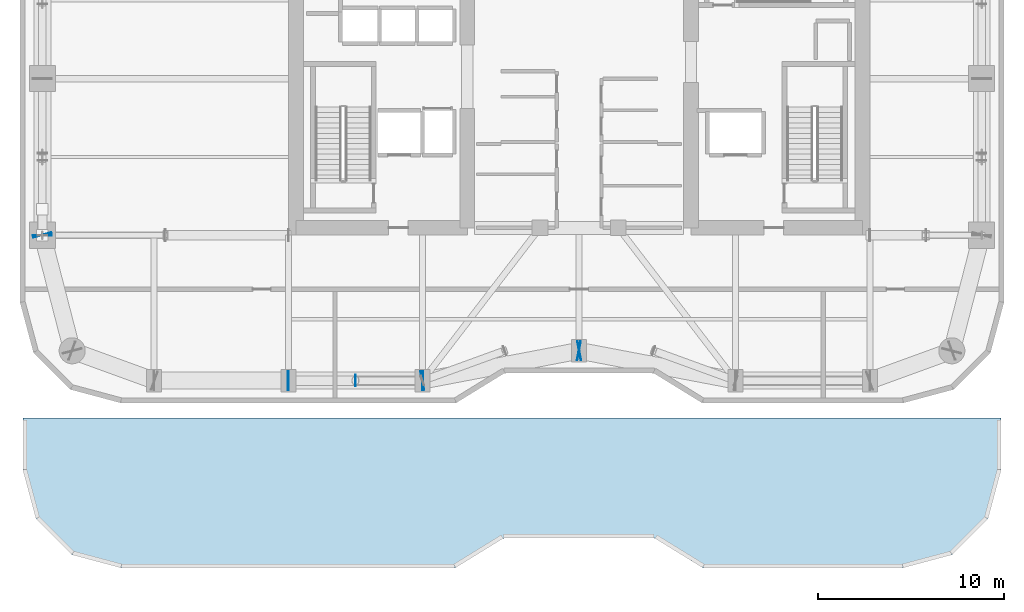
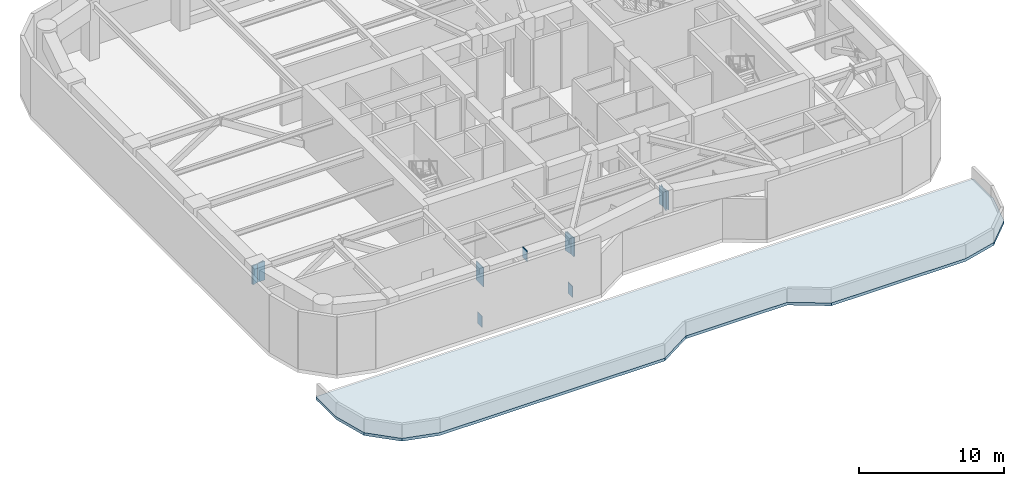
# One storey, part 3 of 16: 11 plates, 1 slab.
"""IFC4 building model written with IfcOpenShell, lengths in metres."""

import ifcopenshell
import ifcopenshell.guid

model = None  # the IFC model being written
_history = None  # IfcOwnerHistory: only IFC2X3 demands one
_inside = {}  # id of a spatial element -> (the spatial element, [elements in it])
_under = {}  # id of a project, library or spatial element -> (it, [spatial elements below it])
_declared = {}  # id of a project -> (the project, [libraries it declares])
_typed = {}  # id of a type object -> (the type object, [elements of that type])
_made_of = {}  # id of a material, layer set ... -> (it, [elements and type objects made of it])


def new_model(schema):
    """Start an empty IFC model of exactly this schema.

    Asked for "IFC4X3", IfcOpenShell would pick the latest addendum, in which some entities
    have other attributes; the version numbers below select the first issue.
    IFC2X3 requires an IfcOwnerHistory on every rooted entity: one is made here for all.
    """
    global model, _history
    if schema == "IFC4X3":
        model = ifcopenshell.file(schema_version=(4, 3, 0, 0))
    else:
        model = ifcopenshell.file(schema=schema)
    _inside.clear()
    _under.clear()
    _declared.clear()
    _typed.clear()
    _made_of.clear()
    _history = None
    if model.schema == "IFC2X3":
        org = make("IfcOrganization", Name="unknown")
        user = make(
            "IfcPersonAndOrganization",
            ThePerson=make("IfcPerson", FamilyName="unknown"),
            TheOrganization=org,
        )
        app = make(
            "IfcApplication",
            ApplicationDeveloper=org,
            Version="unknown",
            ApplicationFullName="unknown",
            ApplicationIdentifier="unknown",
        )
        _history = make(
            "IfcOwnerHistory",
            OwningUser=user,
            OwningApplication=app,
            ChangeAction="ADDED",
            CreationDate=0,
        )
    return model


def make(cls, **values):
    """One entity of the class cls with the attributes given. An attribute that is None is left unset."""
    return model.create_entity(
        cls, **{name: value for name, value in values.items() if value is not None}
    )


def rooted(cls, **values):
    """An entity with a GlobalId (a new one), such as an element, a storey or a relation."""
    return make(cls, GlobalId=ifcopenshell.guid.new(), OwnerHistory=_history, **values)


def si_unit(unit_type, name, prefix=None):
    """IfcSIUnit, for example si_unit("LENGTHUNIT", "METRE", prefix="MILLI")."""
    return make("IfcSIUnit", UnitType=unit_type, Prefix=prefix, Name=name)


def assignment(units):
    """IfcUnitAssignment: the units of a project."""
    return None if units is None else make("IfcUnitAssignment", Units=units)


def point(xyz):
    """IfcCartesianPoint."""
    return None if xyz is None else make("IfcCartesianPoint", Coordinates=xyz)


def direction(xyz):
    """IfcDirection."""
    return None if xyz is None else make("IfcDirection", DirectionRatios=xyz)


def frame(location, z_axis=None, x_axis=None):
    """IfcAxis2Placement3D, a coordinate frame: its origin and axes. An axis left out is left unset."""
    return make(
        "IfcAxis2Placement3D",
        Location=point(location),
        Axis=direction(z_axis),
        RefDirection=direction(x_axis),
    )


def frame_2d(location, x_axis=None):
    """IfcAxis2Placement2D, a coordinate frame in the plane: its origin and x axis."""
    return make(
        "IfcAxis2Placement2D", Location=point(location), RefDirection=direction(x_axis)
    )


def origin():
    """The frame at (0, 0, 0) with its axes left unset."""
    return frame((0.0, 0.0, 0.0))


def origin_2d():
    """The frame at (0, 0) in the plane with its x axis left unset."""
    return frame_2d((0.0, 0.0))


def place(relative_to, where):
    """IfcLocalPlacement: puts the frame where relative to a parent placement (None: the world)."""
    return make(
        "IfcLocalPlacement", PlacementRelTo=relative_to, RelativePlacement=where
    )


def context(
    kind, dimensions, precision=None, world=None, true_north=None, identifier=None
):
    """IfcGeometricRepresentationContext, for example the 3D "Model" context."""
    return make(
        "IfcGeometricRepresentationContext",
        ContextIdentifier=identifier,
        ContextType=kind,
        CoordinateSpaceDimension=dimensions,
        Precision=precision,
        WorldCoordinateSystem=world,
        TrueNorth=true_north,
    )


def subcontext(parent, identifier, kind, view, scale=None):
    """IfcGeometricRepresentationSubContext, for example "Body" below "Model"."""
    return make(
        "IfcGeometricRepresentationSubContext",
        ContextIdentifier=identifier,
        ContextType=kind,
        ParentContext=parent,
        TargetScale=scale,
        TargetView=view,
    )


def project(units=None, contexts=None):
    """IfcProject with its units and contexts."""
    return rooted(
        "IfcProject",
        Name="project",
        RepresentationContexts=contexts,
        UnitsInContext=assignment(units),
    )


def spatial(cls, under=None, at=None, **own):
    """A site, building, storey or space (cls), placed at a placement, below another one or the project."""
    s = rooted(cls, ObjectPlacement=at, **own)
    if under is not None:
        _under.setdefault(under.id(), (under, []))[1].append(s)
    return s


def polyline(points):
    """IfcPolyline through the points."""
    return make("IfcPolyline", Points=[point(p) for p in points])


def profile(cls, at=None, kind="AREA", **sizes):
    """A parametric profile (cls). Its sizes go by their IFC names, for example OverallWidth=200.0."""
    return make(cls, ProfileType=kind, Position=at, **sizes)


def rectangle(**sizes):
    """IfcRectangleProfileDef."""
    return profile("IfcRectangleProfileDef", **sizes)


def outline(outer, holes=None, kind="AREA"):
    """IfcArbitraryClosedProfileDef: a profile drawn as a closed curve; with holes, ...WithVoids."""
    if holes is None:
        return make("IfcArbitraryClosedProfileDef", ProfileType=kind, OuterCurve=outer)
    return make(
        "IfcArbitraryProfileDefWithVoids",
        ProfileType=kind,
        OuterCurve=outer,
        InnerCurves=holes,
    )


def extrude(swept, where, along, depth):
    """IfcExtrudedAreaSolid: the profile swept, set in the frame where, extruded along a direction by depth."""
    return make(
        "IfcExtrudedAreaSolid",
        SweptArea=swept,
        Position=where,
        ExtrudedDirection=direction(along),
        Depth=depth,
    )


def shape(context_of_items, identifier, shape_type, items):
    """IfcShapeRepresentation: the items that make up one representation, for example the "Body"."""
    return make(
        "IfcShapeRepresentation",
        ContextOfItems=context_of_items,
        RepresentationIdentifier=identifier,
        RepresentationType=shape_type,
        Items=items,
    )


def material(Name=None, Category=None):
    """IfcMaterial."""
    return make("IfcMaterial", Name=Name, Category=Category)


def layer(
    of_material, thickness, ventilated=None, Name=None, Category=None, Priority=None
):
    """IfcMaterialLayer: one layer of a wall or slab, of a material (None: an air gap)."""
    return make(
        "IfcMaterialLayer",
        Material=of_material,
        LayerThickness=thickness,
        IsVentilated=ventilated,
        Name=Name,
        Category=Category,
        Priority=Priority,
    )


def layer_set(layers, Name=None):
    """IfcMaterialLayerSet."""
    return make("IfcMaterialLayerSet", MaterialLayers=layers, LayerSetName=Name)


def made_of(thing, what):
    """Note that an element or type object is made of a material, layer set ...; save() writes the relation."""
    if what is not None:
        _made_of.setdefault(what.id(), (what, []))[1].append(thing)
    return thing


def type_object(cls, material=None, **own):
    """A type object (cls), such as IfcWallType, which elements share."""
    return made_of(rooted(cls, **own), material)


def element(
    cls,
    number,
    at=None,
    inside=None,
    cuts=None,
    type_object=None,
    material=None,
    context=None,
    identifier="Body",
    shape_type=None,
    held_by="IfcProductDefinitionShape",
    body=None,
    shapes=None,
    **own,
):
    """One element of the class cls, such as IfcWall. Its Tag is "e" and its number.

    at: its placement. inside: the storey or other place that contains it. cuts: it is an
    opening in that element (IfcRelVoidsElement). A single representation is given by context,
    identifier, shape_type and body (its items); several are given by shapes. held_by: the class
    of the entity that holds the representations. save() writes the other relations.
    """
    e = rooted(cls, Tag="e%d" % number, ObjectPlacement=at, **own)
    if body is not None:
        shapes = [shape(context, identifier, shape_type, body)]
    if shapes is not None:
        e.Representation = make(held_by, Representations=shapes)
    if inside is not None:
        _inside.setdefault(inside.id(), (inside, []))[1].append(e)
    if cuts is not None:
        rooted(
            "IfcRelVoidsElement", RelatingBuildingElement=cuts, RelatedOpeningElement=e
        )
    if type_object is not None:
        _typed.setdefault(type_object.id(), (type_object, []))[1].append(e)
    return made_of(e, material)


def aggregate(whole, parts):
    """IfcRelAggregates: a whole, such as a stair, and the parts it consists of."""
    return rooted("IfcRelAggregates", RelatingObject=whole, RelatedObjects=parts)


def save(model, path):
    """Write the relations noted so far, then the file.

    IfcRelAggregates (storeys below a building ...), IfcRelContainedInSpatialStructure (elements
    in a storey), IfcRelDefinesByType, IfcRelAssociatesMaterial and IfcRelDeclares: one each for
    every whole, place, type object, material and project.
    """
    for whole, parts in _under.values():
        aggregate(whole, parts)
    for where, things in _inside.values():
        rooted(
            "IfcRelContainedInSpatialStructure",
            RelatedElements=things,
            RelatingStructure=where,
        )
    for kind, things in _typed.values():
        rooted("IfcRelDefinesByType", RelatedObjects=things, RelatingType=kind)
    for what, things in _made_of.values():
        rooted("IfcRelAssociatesMaterial", RelatedObjects=things, RelatingMaterial=what)
    for by, libraries in _declared.values():
        rooted("IfcRelDeclares", RelatingContext=by, RelatedDefinitions=libraries)
    model.write(path)


model = new_model("IFC4")

# Units and contexts
model_context = context("Model", 3, precision=1e-05, world=origin(), true_north=direction((0.0, 1.0)))
body_context = subcontext(model_context, "Body", "Model", "MODEL_VIEW")
ifc_project = project(units=[si_unit("LENGTHUNIT", "METRE"), si_unit("AREAUNIT", "SQUARE_METRE"), si_unit("VOLUMEUNIT", "CUBIC_METRE"), si_unit("PLANEANGLEUNIT", "RADIAN"), si_unit("MASSUNIT", "GRAM", prefix="KILO")], contexts=[model_context])

# Site, building, storey
site_placement = place(None, origin())
site = spatial("IfcSite", under=ifc_project, at=site_placement, CompositionType="ELEMENT")
building_placement = place(site_placement, origin())
building = spatial("IfcBuilding", under=site, at=building_placement, Name="Kiyonajd Concourse Tower", CompositionType="ELEMENT")
storey_placement = place(building_placement, frame((0.0, 0.0, 145.5)))
storey = spatial("IfcBuildingStorey", under=building, at=storey_placement, Name="L37", CompositionType="ELEMENT", Elevation=145.5)

# Plates
ifc_material_1 = material(Name="Steel ASTM A572 Grade 50", Category="steel")
ifc_layer_1 = layer(ifc_material_1, 0.028076171875)
ifc_layer_set_1 = layer_set([ifc_layer_1], Name="Steel ASTM A572 Grade 50")
plate_type_1 = type_object("IfcPlateType", Name="PL-CAP-450", PredefinedType="USERDEFINED", material=ifc_layer_set_1)
plate_placement = place(storey_placement, frame((36.007080078125, 19.800048828125, 4.076171875), z_axis=(0.0, 0.0, 1.0), x_axis=(1.0, 0.0, 0.0)))
element("IfcPlate", 1, at=plate_placement, inside=storey, type_object=plate_type_1, Name="L37 Hollow Brace Top Cap Plate PBS", ObjectType="CAP PLATE", PredefinedType="USERDEFINED", context=body_context, shape_type="SweptSolid", body=[
    extrude(rectangle(XDim=0.035888671875, YDim=0.6279296875, at=origin_2d()), origin(), (0.0, 0.0, 1.0), 0.924072265625),
])
ifc_layer_2 = layer(ifc_material_1, 0.031982421875)
ifc_layer_set_2 = layer_set([ifc_layer_2], Name="Steel ASTM A572 Grade 50")
plate_type_2 = type_object("IfcPlateType", Name="PL-CAP-540", PredefinedType="USERDEFINED", material=ifc_layer_set_2)
for number, where, z_axis, x_axis, name in (
    (2, (32.388916015625, 19.800048828125, -0.169921875), (0.0, 0.0, 1.0), (-1.0, 0.0, 0.0), "L37 Belt Chord Cap Plate"),
    (3, (39.611083984375, 19.800048828125, -0.169921875), (0.0, 0.0, 1.0), (1.0, 0.0, 0.0), "L37 Belt Chord Cap Plate"),
):
    element("IfcPlate", number, at=place(storey_placement, frame(where, z_axis=z_axis, x_axis=x_axis)), inside=storey, type_object=plate_type_2, Name=name, ObjectType="CAP PLATE", PredefinedType="USERDEFINED", context=body_context, shape_type="SweptSolid", body=[
        extrude(rectangle(XDim=0.035888671875, YDim=0.6201171875, at=origin_2d()), origin(), (0.0, 0.0, 1.0), 0.93994140625),
    ])
for number, where, z_axis, x_axis, name in (
    (4, (19.197265625, 27.610595703125, 3.35986328125), (0.0, 0.0, 1.0), (-0.249873048837, 0.968278606324, 0.0), "L37 Welded Box Girder End Cap"),
    (5, (32.410888671875, 19.800048828125, 3.35986328125), (0.0, 0.0, 1.0), (1.0, 0.0, 0.0), "L37 Welded Box Girder End Cap"),
    (6, (32.388916015625, 19.800048828125, 3.35986328125), (0.0, 0.0, 1.0), (-1.0, 0.0, 0.0), "L37 Welded Box Girder End Cap"),
    (7, (39.611083984375, 19.800048828125, 3.35986328125), (0.0, 0.0, 1.0), (1.0, 0.0, 0.0), "L37 Welded Box Girder End Cap"),
    (8, (39.589111328125, 19.7978515625, 3.35986328125), (0.0, 0.0, 1.0), (-0.982352599301, -0.187038420242, 0.0), "L37 Welded Box Girder End Cap"),
    (9, (48.0107421875, 21.402099609375, 3.35986328125), (0.0, 0.0, 1.0), (0.982352599301, 0.187038420242, 0.0), "L37 Welded Box Girder End Cap"),
    (10, (47.9892578125, 21.402099609375, 3.35986328125), (0.0, 0.0, 1.0), (-0.982352599301, 0.187038420242, 0.0), "L37 Welded Box Girder End Cap"),
    (11, (19.199951171875, 27.589111328125, 3.35986328125), (0.0, 0.0, 1.0), (0.0, -1.0, 0.0), "L37 Welded Box Girder End Cap"),
):
    element("IfcPlate", number, at=place(storey_placement, frame(where, z_axis=z_axis, x_axis=x_axis)), inside=storey, type_object=plate_type_2, Name=name, ObjectType="CAP PLATE", PredefinedType="USERDEFINED", context=body_context, shape_type="SweptSolid", body=[
        extrude(rectangle(XDim=0.035888671875, YDim=1.02001953125, at=origin_2d()), origin(), (0.0, 0.0, 1.0), 1.590087890625),
    ])

# Slab
ifc_material_2 = material(Name="Concrete C40/50", Category="concrete")
ifc_layer_3 = layer(ifc_material_2, 0.239990234375)
ifc_layer_set_3 = layer_set([ifc_layer_3], Name="Concrete C40/50")
slab_type = type_object("IfcSlabType", Name="SL-TERR-240", PredefinedType="ROOF", material=ifc_layer_set_3)
slab_placement = place(storey_placement, frame((0.0, 0.0, -0.239990234375)))
element("IfcSlab", 12, at=slab_placement, inside=storey, type_object=slab_type, Name="L37 Setback Maintenance Roof Slab 1", PredefinedType="ROOF", context=body_context, shape_type="SweptSolid", body=[
    extrude(outline(polyline([(70.64990234375, 15.02001953125), (69.943115234375, 12.3779296875), (68.02197265625, 10.45703125), (65.3798828125, 9.75), (54.64208984375, 9.75), (52.0791015625, 11.327880859375), (52.041015625, 11.343994140625), (52.0, 11.35009765625), (43.972900390625, 11.346923828125), (43.9208984375, 11.327880859375), (41.35791015625, 9.75), (23.419921875, 9.75), (20.778076171875, 10.45703125), (18.85693359375, 12.3779296875), (18.14990234375, 15.02001953125), (18.14990234375, 17.800048828125), (70.64990234375, 17.800048828125), (70.64990234375, 15.02001953125)])), origin(), (0.0, 0.0, 1.0), 0.239990234375),
])

save(model, "model.ifc")
